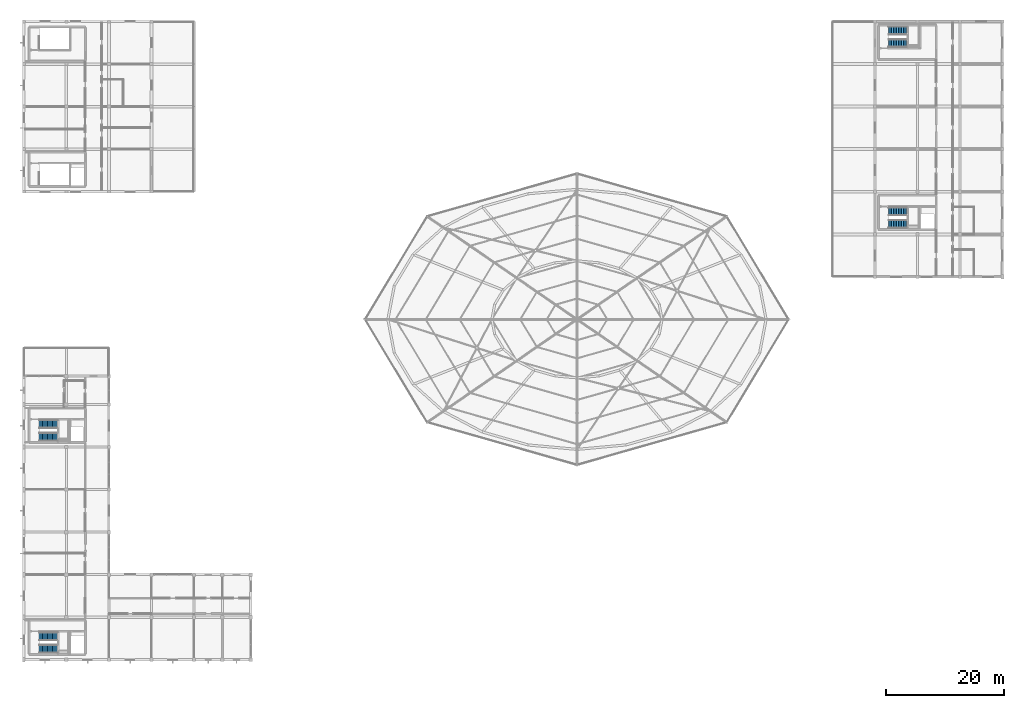
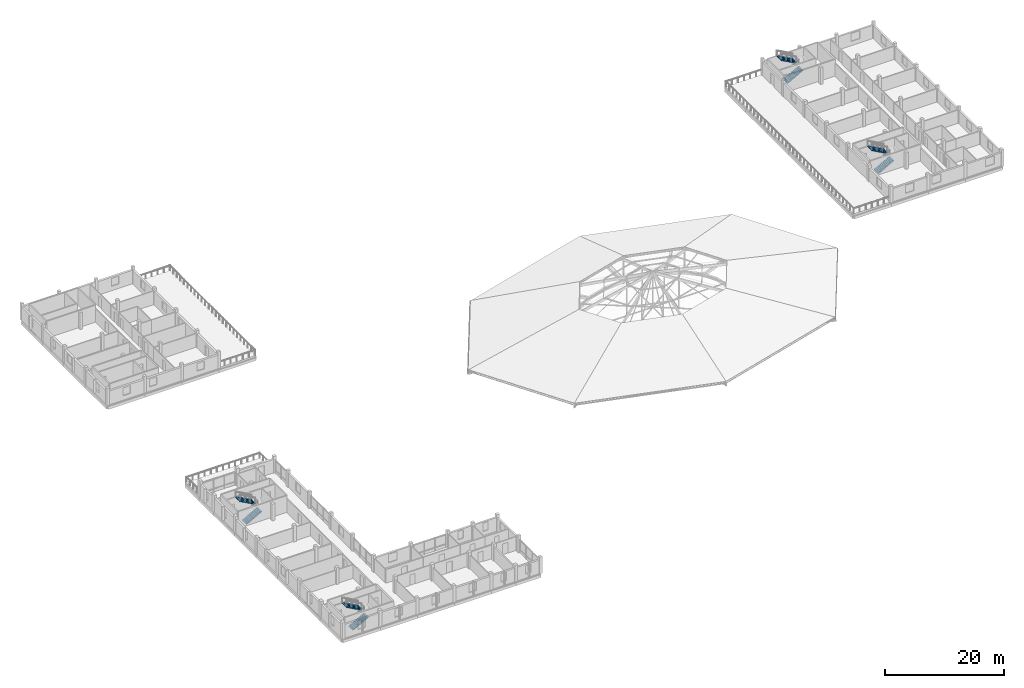
# One storey, part 61 of 66: 8 stair flights, 4 elements without a shape of their own.
"""IFC4 building model written with IfcOpenShell, lengths in metres."""

from ifc_helpers import new_model, si_unit, direction, frame, origin, place, context, subcontext, project, spatial, polyline, outline, extrude, material, type_object, element, aggregate, save


model = new_model("IFC4")

# Units and contexts
model_context = context("Model", 3, precision=1e-05, world=origin(), true_north=direction((0.0, 1.0)))
body_context = subcontext(model_context, "Body", "Model", "MODEL_VIEW")
ifc_project = project(units=[si_unit("LENGTHUNIT", "METRE"), si_unit("AREAUNIT", "SQUARE_METRE"), si_unit("VOLUMEUNIT", "CUBIC_METRE"), si_unit("PLANEANGLEUNIT", "RADIAN"), si_unit("MASSUNIT", "GRAM", prefix="KILO")], contexts=[model_context])

# Site, building, storey
site_placement = place(None, origin())
site = spatial("IfcSite", under=ifc_project, at=site_placement, CompositionType="ELEMENT")
building_placement = place(site_placement, origin())
building = spatial("IfcBuilding", under=site, at=building_placement, Name="Zornivar Specialist Clinic", CompositionType="ELEMENT")
storey_placement = place(building_placement, frame((0.0, 0.0, 16.0)))
storey = spatial("IfcBuildingStorey", under=building, at=storey_placement, Name="L04", CompositionType="ELEMENT", Elevation=16.0)

# Stair, stair flights
ifc_material_1 = material(Name="Concrete C30/37", Category="concrete")
stair_type = type_object("IfcStairType", Name="STR-CORE-UPPER-3700", PredefinedType="HALF_TURN_STAIR", material=ifc_material_1)
stair_1_placement = place(storey_placement, origin())
stair_1 = element("IfcStair", 1, at=stair_1_placement, inside=storey, type_object=stair_type, Name="stair:C1:L04", PredefinedType="HALF_TURN_STAIR")
ifc_material_2 = material(Name="Concrete C30/37", Category="concrete")
stair_flight_type = type_object("IfcStairFlightType", Name="STR-CORE-UPPER-3700-FLT", PredefinedType="STRAIGHT", material=ifc_material_2)
stair_flight_1_placement = place(storey_placement, frame((2.60009765625, 1.820068359375, 0.0), z_axis=(0.0, 0.0, 1.0), x_axis=(1.0, 0.0, 0.0)))
stair_flight_1 = element("IfcStairFlight", 2, at=stair_flight_1_placement, type_object=stair_flight_type, Name="stair:C1:L04:f1", NumberOfRisers=12, NumberOfTreads=11, PredefinedType="STRAIGHT", RiserHeight=0.154167, TreadLength=0.28, context=body_context, shape_type="SweptSolid", body=[
    extrude(outline(polyline([(0.0, 0.0), (0.0, 0.154052734375), (0.280029296875, 0.154052734375), (0.280029296875, 0.308349609375), (0.56005859375, 0.308349609375), (0.56005859375, 0.46240234375), (0.840087890625, 0.46240234375), (0.840087890625, 0.61669921875), (1.1201171875, 0.61669921875), (1.1201171875, 0.770751953125), (1.39990234375, 0.770751953125), (1.39990234375, 0.925048828125), (1.679931640625, 0.925048828125), (1.679931640625, 1.0791015625), (1.9599609375, 1.0791015625), (1.9599609375, 1.2333984375), (2.239990234375, 1.2333984375), (2.239990234375, 1.387451171875), (2.52001953125, 1.387451171875), (2.52001953125, 1.541748046875), (2.800048828125, 1.541748046875), (2.800048828125, 1.69580078125), (3.080078125, 1.69580078125), (3.080078125, 1.85009765625), (3.080078125, 1.51318359375), (0.33154296875, 0.0), (0.0, 0.0)])), frame((0.0, 0.699951171875, 0.0), z_axis=(0.0, -1.0, 0.0), x_axis=(1.0, 0.0, 0.0)), (0.0, 0.0, 1.0), 1.39990234375),
])
stair_flight_2_placement = place(storey_placement, frame((5.679931640625, 3.97998046875, 1.85009765625), z_axis=(0.0, 0.0, 1.0), x_axis=(-1.0, 0.0, 0.0)))
stair_flight_2 = element("IfcStairFlight", 3, at=stair_flight_2_placement, type_object=stair_flight_type, Name="stair:C1:L04:f2", NumberOfRisers=12, NumberOfTreads=11, PredefinedType="STRAIGHT", RiserHeight=0.154167, TreadLength=0.28, context=body_context, shape_type="SweptSolid", body=[
    extrude(outline(polyline([(0.0, 0.0), (0.0, 0.154052734375), (0.280029296875, 0.154052734375), (0.280029296875, 0.308349609375), (0.56005859375, 0.308349609375), (0.56005859375, 0.46240234375), (0.840087890625, 0.46240234375), (0.840087890625, 0.61669921875), (1.1201171875, 0.61669921875), (1.1201171875, 0.770751953125), (1.39990234375, 0.770751953125), (1.39990234375, 0.925048828125), (1.679931640625, 0.925048828125), (1.679931640625, 1.0791015625), (1.9599609375, 1.0791015625), (1.9599609375, 1.2333984375), (2.239990234375, 1.2333984375), (2.239990234375, 1.387451171875), (2.52001953125, 1.387451171875), (2.52001953125, 1.541748046875), (2.800048828125, 1.541748046875), (2.800048828125, 1.69580078125), (3.080078125, 1.69580078125), (3.080078125, 1.85009765625), (3.080078125, 1.51318359375), (0.33154296875, 0.0), (0.0, 0.0)])), frame((0.0, 0.699951171875, 0.0), z_axis=(0.0, -1.0, 0.0), x_axis=(1.0, 0.0, 0.0)), (0.0, 0.0, 1.0), 1.39990234375),
])
aggregate(stair_1, [stair_flight_1, stair_flight_2])

stair_2_placement = place(storey_placement, origin())
stair_2 = element("IfcStair", 4, at=stair_2_placement, inside=storey, type_object=stair_type, Name="stair:C2:L04", PredefinedType="HALF_TURN_STAIR")
stair_flight_3_placement = place(storey_placement, frame((2.60009765625, 37.719970703125, 0.0), z_axis=(0.0, 0.0, 1.0), x_axis=(1.0, 0.0, 0.0)))
stair_flight_3 = element("IfcStairFlight", 5, at=stair_flight_3_placement, type_object=stair_flight_type, Name="stair:C2:L04:f1", NumberOfRisers=12, NumberOfTreads=11, PredefinedType="STRAIGHT", RiserHeight=0.154167, TreadLength=0.28, context=body_context, shape_type="SweptSolid", body=[
    extrude(outline(polyline([(0.0, 0.0), (0.0, 0.154052734375), (0.280029296875, 0.154052734375), (0.280029296875, 0.308349609375), (0.56005859375, 0.308349609375), (0.56005859375, 0.46240234375), (0.840087890625, 0.46240234375), (0.840087890625, 0.61669921875), (1.1201171875, 0.61669921875), (1.1201171875, 0.770751953125), (1.39990234375, 0.770751953125), (1.39990234375, 0.925048828125), (1.679931640625, 0.925048828125), (1.679931640625, 1.0791015625), (1.9599609375, 1.0791015625), (1.9599609375, 1.2333984375), (2.239990234375, 1.2333984375), (2.239990234375, 1.387451171875), (2.52001953125, 1.387451171875), (2.52001953125, 1.541748046875), (2.800048828125, 1.541748046875), (2.800048828125, 1.69580078125), (3.080078125, 1.69580078125), (3.080078125, 1.85009765625), (3.080078125, 1.51318359375), (0.33154296875, 0.0), (0.0, 0.0)])), frame((0.0, 0.699951171875, 0.0), z_axis=(0.0, -1.0, 0.0), x_axis=(1.0, 0.0, 0.0)), (0.0, 0.0, 1.0), 1.39990234375),
])
stair_flight_4_placement = place(storey_placement, frame((5.679931640625, 39.8798828125, 1.85009765625), z_axis=(0.0, 0.0, 1.0), x_axis=(-1.0, 0.0, 0.0)))
stair_flight_4 = element("IfcStairFlight", 6, at=stair_flight_4_placement, type_object=stair_flight_type, Name="stair:C2:L04:f2", NumberOfRisers=12, NumberOfTreads=11, PredefinedType="STRAIGHT", RiserHeight=0.154167, TreadLength=0.28, context=body_context, shape_type="SweptSolid", body=[
    extrude(outline(polyline([(0.0, 0.0), (0.0, 0.154052734375), (0.280029296875, 0.154052734375), (0.280029296875, 0.308349609375), (0.56005859375, 0.308349609375), (0.56005859375, 0.46240234375), (0.840087890625, 0.46240234375), (0.840087890625, 0.61669921875), (1.1201171875, 0.61669921875), (1.1201171875, 0.770751953125), (1.39990234375, 0.770751953125), (1.39990234375, 0.925048828125), (1.679931640625, 0.925048828125), (1.679931640625, 1.0791015625), (1.9599609375, 1.0791015625), (1.9599609375, 1.2333984375), (2.239990234375, 1.2333984375), (2.239990234375, 1.387451171875), (2.52001953125, 1.387451171875), (2.52001953125, 1.541748046875), (2.800048828125, 1.541748046875), (2.800048828125, 1.69580078125), (3.080078125, 1.69580078125), (3.080078125, 1.85009765625), (3.080078125, 1.51318359375), (0.33154296875, 0.0), (0.0, 0.0)])), frame((0.0, 0.699951171875, 0.0), z_axis=(0.0, -1.0, 0.0), x_axis=(1.0, 0.0, 0.0)), (0.0, 0.0, 1.0), 1.39990234375),
])
aggregate(stair_2, [stair_flight_3, stair_flight_4])

stair_3_placement = place(storey_placement, origin())
stair_3 = element("IfcStair", 7, at=stair_3_placement, inside=storey, type_object=stair_type, Name="stair:C9:L04", PredefinedType="HALF_TURN_STAIR")
stair_flight_5_placement = place(storey_placement, frame((146.300048828125, 73.719970703125, 0.0), z_axis=(0.0, 0.0, 1.0), x_axis=(1.0, 0.0, 0.0)))
stair_flight_5 = element("IfcStairFlight", 8, at=stair_flight_5_placement, type_object=stair_flight_type, Name="stair:C9:L04:f1", NumberOfRisers=12, NumberOfTreads=11, PredefinedType="STRAIGHT", RiserHeight=0.154167, TreadLength=0.28, context=body_context, shape_type="SweptSolid", body=[
    extrude(outline(polyline([(0.0, 0.0), (0.0, 0.154052734375), (0.280029296875, 0.154052734375), (0.280029296875, 0.308349609375), (0.56005859375, 0.308349609375), (0.56005859375, 0.46240234375), (0.840087890625, 0.46240234375), (0.840087890625, 0.61669921875), (1.1201171875, 0.61669921875), (1.1201171875, 0.770751953125), (1.39990234375, 0.770751953125), (1.39990234375, 0.925048828125), (1.679931640625, 0.925048828125), (1.679931640625, 1.0791015625), (1.9599609375, 1.0791015625), (1.9599609375, 1.2333984375), (2.239990234375, 1.2333984375), (2.239990234375, 1.387451171875), (2.52001953125, 1.387451171875), (2.52001953125, 1.541748046875), (2.800048828125, 1.541748046875), (2.800048828125, 1.69580078125), (3.080078125, 1.69580078125), (3.080078125, 1.85009765625), (3.080078125, 1.51318359375), (0.33154296875, 0.0), (0.0, 0.0)])), frame((0.0, 0.699951171875, 0.0), z_axis=(0.0, -1.0, 0.0), x_axis=(1.0, 0.0, 0.0)), (0.0, 0.0, 1.0), 1.39990234375),
])
stair_flight_6_placement = place(storey_placement, frame((149.3798828125, 75.8798828125, 1.85009765625), z_axis=(0.0, 0.0, 1.0), x_axis=(-1.0, 0.0, 0.0)))
stair_flight_6 = element("IfcStairFlight", 9, at=stair_flight_6_placement, type_object=stair_flight_type, Name="stair:C9:L04:f2", NumberOfRisers=12, NumberOfTreads=11, PredefinedType="STRAIGHT", RiserHeight=0.154167, TreadLength=0.28, context=body_context, shape_type="SweptSolid", body=[
    extrude(outline(polyline([(0.0, 0.0), (0.0, 0.154052734375), (0.280029296875, 0.154052734375), (0.280029296875, 0.308349609375), (0.56005859375, 0.308349609375), (0.56005859375, 0.46240234375), (0.840087890625, 0.46240234375), (0.840087890625, 0.61669921875), (1.1201171875, 0.61669921875), (1.1201171875, 0.770751953125), (1.39990234375, 0.770751953125), (1.39990234375, 0.925048828125), (1.679931640625, 0.925048828125), (1.679931640625, 1.0791015625), (1.9599609375, 1.0791015625), (1.9599609375, 1.2333984375), (2.239990234375, 1.2333984375), (2.239990234375, 1.387451171875), (2.52001953125, 1.387451171875), (2.52001953125, 1.541748046875), (2.800048828125, 1.541748046875), (2.800048828125, 1.69580078125), (3.080078125, 1.69580078125), (3.080078125, 1.85009765625), (3.080078125, 1.51318359375), (0.33154296875, 0.0), (0.0, 0.0)])), frame((0.0, 0.699951171875, 0.0), z_axis=(0.0, -1.0, 0.0), x_axis=(1.0, 0.0, 0.0)), (0.0, 0.0, 1.0), 1.39990234375),
])
aggregate(stair_3, [stair_flight_5, stair_flight_6])

stair_4_placement = place(storey_placement, origin())
stair_4 = element("IfcStair", 10, at=stair_4_placement, inside=storey, type_object=stair_type, Name="stair:C10:L04", PredefinedType="HALF_TURN_STAIR")
stair_flight_7_placement = place(storey_placement, frame((146.300048828125, 104.320068359375, 0.0), z_axis=(0.0, 0.0, 1.0), x_axis=(1.0, 0.0, 0.0)))
stair_flight_7 = element("IfcStairFlight", 11, at=stair_flight_7_placement, type_object=stair_flight_type, Name="stair:C10:L04:f1", NumberOfRisers=12, NumberOfTreads=11, PredefinedType="STRAIGHT", RiserHeight=0.154167, TreadLength=0.28, context=body_context, shape_type="SweptSolid", body=[
    extrude(outline(polyline([(0.0, 0.0), (0.0, 0.154052734375), (0.280029296875, 0.154052734375), (0.280029296875, 0.308349609375), (0.56005859375, 0.308349609375), (0.56005859375, 0.46240234375), (0.840087890625, 0.46240234375), (0.840087890625, 0.61669921875), (1.1201171875, 0.61669921875), (1.1201171875, 0.770751953125), (1.39990234375, 0.770751953125), (1.39990234375, 0.925048828125), (1.679931640625, 0.925048828125), (1.679931640625, 1.0791015625), (1.9599609375, 1.0791015625), (1.9599609375, 1.2333984375), (2.239990234375, 1.2333984375), (2.239990234375, 1.387451171875), (2.52001953125, 1.387451171875), (2.52001953125, 1.541748046875), (2.800048828125, 1.541748046875), (2.800048828125, 1.69580078125), (3.080078125, 1.69580078125), (3.080078125, 1.85009765625), (3.080078125, 1.51318359375), (0.33154296875, 0.0), (0.0, 0.0)])), frame((0.0, 0.699951171875, 0.0), z_axis=(0.0, -1.0, 0.0), x_axis=(1.0, 0.0, 0.0)), (0.0, 0.0, 1.0), 1.39990234375),
])
stair_flight_8_placement = place(storey_placement, frame((149.3798828125, 106.47998046875, 1.85009765625), z_axis=(0.0, 0.0, 1.0), x_axis=(-1.0, 0.0, 0.0)))
stair_flight_8 = element("IfcStairFlight", 12, at=stair_flight_8_placement, type_object=stair_flight_type, Name="stair:C10:L04:f2", NumberOfRisers=12, NumberOfTreads=11, PredefinedType="STRAIGHT", RiserHeight=0.154167, TreadLength=0.28, context=body_context, shape_type="SweptSolid", body=[
    extrude(outline(polyline([(0.0, 0.0), (0.0, 0.154052734375), (0.280029296875, 0.154052734375), (0.280029296875, 0.308349609375), (0.56005859375, 0.308349609375), (0.56005859375, 0.46240234375), (0.840087890625, 0.46240234375), (0.840087890625, 0.61669921875), (1.1201171875, 0.61669921875), (1.1201171875, 0.770751953125), (1.39990234375, 0.770751953125), (1.39990234375, 0.925048828125), (1.679931640625, 0.925048828125), (1.679931640625, 1.0791015625), (1.9599609375, 1.0791015625), (1.9599609375, 1.2333984375), (2.239990234375, 1.2333984375), (2.239990234375, 1.387451171875), (2.52001953125, 1.387451171875), (2.52001953125, 1.541748046875), (2.800048828125, 1.541748046875), (2.800048828125, 1.69580078125), (3.080078125, 1.69580078125), (3.080078125, 1.85009765625), (3.080078125, 1.51318359375), (0.33154296875, 0.0), (0.0, 0.0)])), frame((0.0, 0.699951171875, 0.0), z_axis=(0.0, -1.0, 0.0), x_axis=(1.0, 0.0, 0.0)), (0.0, 0.0, 1.0), 1.39990234375),
])
aggregate(stair_4, [stair_flight_7, stair_flight_8])

save(model, "model.ifc")
